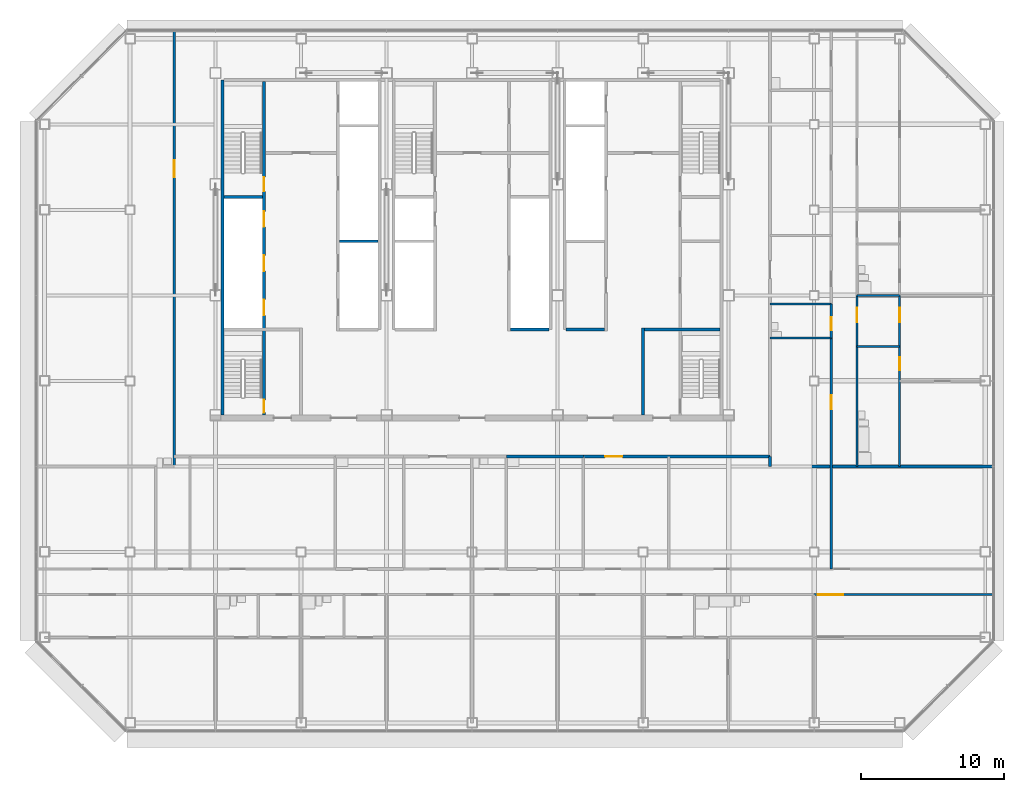
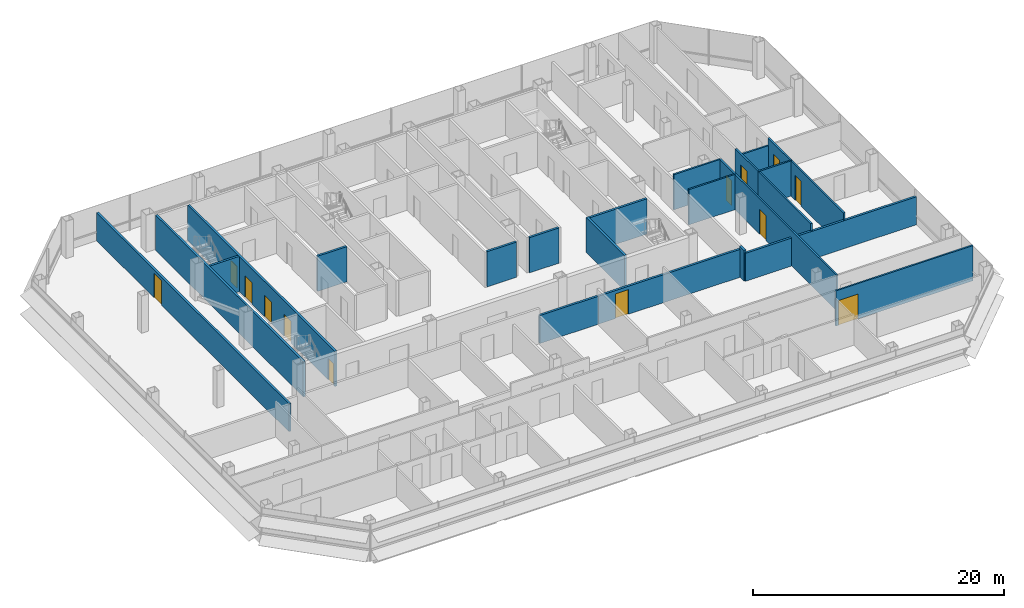
# One storey, part 21 of 26: 24 walls, 13 doors, 13 openings.
"""IFC4 building model written with IfcOpenShell, lengths in metres."""

from ifc_helpers import new_model, si_unit, direction, frame, frame_2d, origin, place, context, subcontext, project, spatial, rectangle, extrude, material, layer, layer_set, type_object, element, fill, save


model = new_model("IFC4")

# Units and contexts
model_context = context("Model", 3, precision=1e-05, world=origin(), true_north=direction((0.0, 1.0)))
body_context = subcontext(model_context, "Body", "Model", "MODEL_VIEW")
ifc_project = project(units=[si_unit("LENGTHUNIT", "METRE"), si_unit("AREAUNIT", "SQUARE_METRE"), si_unit("VOLUMEUNIT", "CUBIC_METRE"), si_unit("PLANEANGLEUNIT", "RADIAN"), si_unit("MASSUNIT", "GRAM", prefix="KILO")], contexts=[model_context])

# Site, building, storey
site_placement = place(None, origin())
site = spatial("IfcSite", under=ifc_project, at=site_placement, CompositionType="ELEMENT")
building_placement = place(site_placement, origin())
building = spatial("IfcBuilding", under=site, at=building_placement, Name="Sorahane Residences", CompositionType="ELEMENT")
storey_placement = place(building_placement, frame((0.0, 0.0, 154.60009765625)))
storey = spatial("IfcBuildingStorey", under=building, at=storey_placement, Name="L35", CompositionType="ELEMENT", Elevation=154.60009765625)

# Wall
ifc_material_1 = material(Name="Concrete C30", Category="concrete")
ifc_layer_1 = layer(ifc_material_1, 0.199951171875)
ifc_layer_set_1 = layer_set([ifc_layer_1], Name="Core face wall 200 EI 180")
wall_type_1 = type_object("IfcWallType", Name="Core face wall 200 EI 180", PredefinedType="SOLIDWALL", material=ifc_layer_set_1)
wall_1_placement = place(storey_placement, frame((6.5, 21.60009765625, 0.0), z_axis=(0.0, 0.0, 1.0), x_axis=(0.0, 1.0, 0.0)))
element("IfcWall", 1, at=wall_1_placement, inside=storey, type_object=wall_type_1, Name="L35 core face wall", PredefinedType="SOLIDWALL", context=body_context, shape_type="SweptSolid", body=[
    extrude(rectangle(XDim=23.5, YDim=0.199951171875, at=frame_2d((11.75, 0.0))), origin(), (0.0, 0.0, 1.0), 3.419921875),
])

# Wall, opening, door
ifc_material_2 = material(Name="Concrete blockwork C20 wall", Category="masonry")
ifc_layer_2 = layer(ifc_material_2, 0.199951171875)
ifc_layer_set_2 = layer_set([ifc_layer_2], Name="Corridor wall 200 EI 120")
wall_type_2 = type_object("IfcWallType", Name="Corridor wall 200 EI 120", PredefinedType="SOLIDWALL", material=ifc_layer_set_2)
wall_2_placement = place(storey_placement, frame((3.10009765625, 18.0, 0.0), z_axis=(0.0, 0.0, 1.0), x_axis=(0.0, 1.0, 0.0)))
wall_2 = element("IfcWall", 2, at=wall_2_placement, inside=storey, type_object=wall_type_2, Name="L35 corridor wall", PredefinedType="SOLIDWALL", context=body_context, shape_type="SweptSolid", body=[
    extrude(rectangle(XDim=30.60009765625, YDim=0.199951171875, at=frame_2d((15.300048828125, 0.0))), origin(), (0.0, 0.0, 1.0), 2.719970703125),
])
opening_1_placement = place(wall_2_placement, frame((20.27001953125, 0.0, 0.0)))
opening_1 = element("IfcOpeningElement", 3, at=opening_1_placement, cuts=wall_2, Name="Opening L35-45", PredefinedType="OPENING", context=body_context, shape_type="SweptSolid", body=[
    extrude(rectangle(XDim=1.199951171875, YDim=2.39990234375, at=frame_2d((0.60009765625, 1.199951171875))), frame((0.0, 0.10986328125, 0.0), z_axis=(0.0, -1.0, 0.0), x_axis=(1.0, 0.0, 0.0)), (0.0, 0.0, 1.0), 0.219970703125),
])
ifc_material_3 = material(Name="Steel", Category="steel")
door_type_1 = type_object("IfcDoorType", Name="Lobby door 1200x2400 FD60", OperationType="NOTDEFINED", PredefinedType="DOOR", material=ifc_material_3)
door_1_placement = place(opening_1_placement, origin())
door_1 = element("IfcDoor", 4, at=door_1_placement, inside=storey, type_object=door_type_1, Name="Lobby door L35-45", OperationType="SINGLE_SWING_RIGHT", OverallHeight=2.39990234375, OverallWidth=1.199951171875, PredefinedType="DOOR", context=body_context, shape_type="SweptSolid", body=[
    extrude(rectangle(XDim=1.199951171875, YDim=2.39990234375, at=frame_2d((0.60009765625, 1.199951171875))), frame((0.0, 0.02490234375, 0.0), z_axis=(0.0, -1.0, 0.0), x_axis=(1.0, 0.0, 0.0)), (0.0, 0.0, 1.0), 0.050048828125),
])
fill(opening_1, door_1)

wall_3_placement = place(storey_placement, frame((31.800048828125, 18.699951171875, 0.0), z_axis=(0.0, 0.0, 1.0), x_axis=(1.0, 0.0, 0.0)))
wall_3 = element("IfcWall", 5, at=wall_3_placement, inside=storey, type_object=wall_type_2, Name="L35 corridor wall", PredefinedType="SOLIDWALL", context=body_context, shape_type="SweptSolid", body=[
    extrude(rectangle(XDim=13.099853515625, YDim=0.199951171875, at=frame_2d((6.5498046875, 0.0))), origin(), (0.0, 0.0, 1.0), 2.719970703125),
])
opening_2_placement = place(wall_3_placement, frame((1.5400390625, 0.0, 0.0)))
opening_2 = element("IfcOpeningElement", 6, at=opening_2_placement, cuts=wall_3, Name="Opening L35-43", PredefinedType="OPENING", context=body_context, shape_type="SweptSolid", body=[
    extrude(rectangle(XDim=1.199951171875, YDim=2.39990234375, at=frame_2d((0.60009765625, 1.199951171875))), frame((0.0, 0.10986328125, 0.0), z_axis=(0.0, -1.0, 0.0), x_axis=(1.0, 0.0, 0.0)), (0.0, 0.0, 1.0), 0.219970703125),
])
ifc_material_4 = material(Name="Timber veneered fire door", Category="wood")
door_type_2 = type_object("IfcDoorType", Name="Flat entrance door 1200x2400 FD60", OperationType="NOTDEFINED", PredefinedType="DOOR", material=ifc_material_4)
door_2_placement = place(opening_2_placement, frame((1.199951171875, 0.0, 0.0), z_axis=(0.0, 0.0, 1.0), x_axis=(-1.0, 0.0, 0.0)))
door_2 = element("IfcDoor", 7, at=door_2_placement, inside=storey, type_object=door_type_2, Name="Flat entrance door L35-43", OperationType="SINGLE_SWING_RIGHT", OverallHeight=2.39990234375, OverallWidth=1.199951171875, PredefinedType="DOOR", context=body_context, shape_type="SweptSolid", body=[
    extrude(rectangle(XDim=1.199951171875, YDim=2.39990234375, at=frame_2d((0.60009765625, 1.199951171875))), frame((0.0, 0.02490234375, 0.0), z_axis=(0.0, -1.0, 0.0), x_axis=(1.0, 0.0, 0.0)), (0.0, 0.0, 1.0), 0.050048828125),
])
fill(opening_2, door_2)

# Walls
ifc_material_5 = material(Name="Concrete C30", Category="concrete")
ifc_layer_3 = layer(ifc_material_5, 0.199951171875)
ifc_layer_set_3 = layer_set([ifc_layer_3], Name="Front room wall 200 EI 120")
wall_type_3 = type_object("IfcWallType", Name="Front room wall 200 EI 120", PredefinedType="PARTITIONING", material=ifc_layer_set_3)
wall_4_placement = place(storey_placement, frame((36.0, 21.60009765625, 0.0), z_axis=(0.0, 0.0, 1.0), x_axis=(0.0, 1.0, 0.0)))
element("IfcWall", 8, at=wall_4_placement, inside=storey, type_object=wall_type_3, Name="L35 front room wall", PredefinedType="PARTITIONING", context=body_context, shape_type="SweptSolid", body=[
    extrude(rectangle(XDim=6.099853515625, YDim=0.199951171875, at=frame_2d((3.0498046875, 0.0))), origin(), (0.0, 0.0, 1.0), 3.419921875),
])
ifc_material_6 = material(Name="Concrete blockwork C20 wall", Category="masonry")
ifc_layer_4 = layer(ifc_material_6, 0.199951171875)
ifc_layer_set_4 = layer_set([ifc_layer_4], Name="Kitchen wall 200 EI 180")
wall_type_4 = type_object("IfcWallType", Name="Kitchen wall 200 EI 180", PredefinedType="SOLIDWALL", material=ifc_layer_set_4)
wall_5_placement = place(storey_placement, frame((26.39990234375, 18.699951171875, 0.0), z_axis=(0.0, 0.0, 1.0), x_axis=(1.0, 0.0, 0.0)))
element("IfcWall", 9, at=wall_5_placement, inside=storey, type_object=wall_type_4, Name="L35 kitchen wall", PredefinedType="SOLIDWALL", context=body_context, shape_type="SweptSolid", body=[
    extrude(rectangle(XDim=5.400146484375, YDim=0.199951171875, at=frame_2d((2.7001953125, 0.0))), origin(), (0.0, 0.0, 1.0), 2.719970703125),
])
ifc_material_7 = material(Name="Concrete C30", Category="concrete")
ifc_layer_5 = layer(ifc_material_7, 0.199951171875)
ifc_layer_set_5 = layer_set([ifc_layer_5], Name="Lift shaft wall 200 EI 120")
wall_type_5 = type_object("IfcWallType", Name="Lift shaft wall 200 EI 120", PredefinedType="SOLIDWALL", material=ifc_layer_set_5)
wall_6_placement = place(storey_placement, frame((14.699951171875, 33.800048828125, 0.0), z_axis=(0.0, 0.0, 1.0), x_axis=(1.0, 0.0, 0.0)))
element("IfcWall", 10, at=wall_6_placement, inside=storey, type_object=wall_type_5, Name="L35 lift shaft wall", PredefinedType="SOLIDWALL", context=body_context, shape_type="SweptSolid", body=[
    extrude(rectangle(XDim=2.699951171875, YDim=0.199951171875, at=frame_2d((1.35009765625, 0.0))), origin(), (0.0, 0.0, 1.0), 3.419921875),
])

# Wall, opening, door
ifc_material_8 = material(Name="Gypsum board partition on steel studs", Category="steel")
ifc_layer_6 = layer(ifc_material_8, 0.14990234375)
ifc_layer_set_6 = layer_set([ifc_layer_6], Name="Partition 150 EI 90")
wall_type_6 = type_object("IfcWallType", Name="Partition 150 EI 90", PredefinedType="PARTITIONING", material=ifc_layer_set_6)
wall_7_placement = place(storey_placement, frame((49.199951171875, 10.800048828125, 0.0), z_axis=(0.0, 0.0, 1.0), x_axis=(0.0, 1.0, 0.0)))
wall_7 = element("IfcWall", 11, at=wall_7_placement, inside=storey, type_object=wall_type_6, Name="L35 partition", PredefinedType="PARTITIONING", context=body_context, shape_type="SweptSolid", body=[
    extrude(rectangle(XDim=16.199951171875, YDim=0.14990234375, at=frame_2d((8.10009765625, 0.0))), origin(), (0.0, 0.0, 1.0), 3.419921875),
])
opening_3_placement = place(wall_7_placement, frame((11.199951171875, 0.0, 0.0)))
opening_3 = element("IfcOpeningElement", 12, at=opening_3_placement, cuts=wall_7, Name="Opening L35-29", PredefinedType="OPENING", context=body_context, shape_type="SweptSolid", body=[
    extrude(rectangle(XDim=1.0, YDim=2.39990234375, at=frame_2d((0.5, 1.199951171875))), frame((0.0, 0.0849609375, 0.0), z_axis=(0.0, -1.0, 0.0), x_axis=(1.0, 0.0, 0.0)), (0.0, 0.0, 1.0), 0.169921875),
])
ifc_material_9 = material(Name="Timber veneered fire door", Category="wood")
door_type_3 = type_object("IfcDoorType", Name="Room door 1000x2400 FD30", OperationType="NOTDEFINED", PredefinedType="DOOR", material=ifc_material_9)
door_3_placement = place(opening_3_placement, origin())
door_3 = element("IfcDoor", 13, at=door_3_placement, inside=storey, type_object=door_type_3, Name="Room door L35-29", OperationType="SINGLE_SWING_RIGHT", OverallHeight=2.39990234375, OverallWidth=1.0, PredefinedType="DOOR", context=body_context, shape_type="SweptSolid", body=[
    extrude(rectangle(XDim=1.0, YDim=2.39990234375, at=frame_2d((0.5, 1.199951171875))), frame((0.0, 0.02490234375, 0.0), z_axis=(0.0, -1.0, 0.0), x_axis=(1.0, 0.0, 0.0)), (0.0, 0.0, 1.0), 0.050048828125),
])
fill(opening_3, door_3)

wall_8_placement = place(storey_placement, frame((51.0, 26.39990234375, 0.0), z_axis=(0.0, 0.0, 1.0), x_axis=(0.0, 1.0, 0.0)))
wall_8 = element("IfcWall", 14, at=wall_8_placement, inside=storey, type_object=wall_type_6, Name="L35 partition", PredefinedType="PARTITIONING", context=body_context, shape_type="SweptSolid", body=[
    extrude(rectangle(XDim=3.60009765625, YDim=0.14990234375, at=frame_2d((1.800048828125, 0.0))), origin(), (0.0, 0.0, 1.0), 3.419921875),
])
opening_4_placement = place(wall_8_placement, frame((1.719970703125, 0.0, 0.0)))
opening_4 = element("IfcOpeningElement", 15, at=opening_4_placement, cuts=wall_8, Name="Opening L35-33", PredefinedType="OPENING", context=body_context, shape_type="SweptSolid", body=[
    extrude(rectangle(XDim=1.0, YDim=2.39990234375, at=frame_2d((0.5, 1.199951171875))), frame((0.0, 0.0849609375, 0.0), z_axis=(0.0, -1.0, 0.0), x_axis=(1.0, 0.0, 0.0)), (0.0, 0.0, 1.0), 0.169921875),
])
door_4_placement = place(opening_4_placement, frame((1.0, 0.0, 0.0), z_axis=(0.0, 0.0, 1.0), x_axis=(-1.0, 0.0, 0.0)))
door_4 = element("IfcDoor", 16, at=door_4_placement, inside=storey, type_object=door_type_3, Name="Room door L35-33", OperationType="SINGLE_SWING_LEFT", OverallHeight=2.39990234375, OverallWidth=1.0, PredefinedType="DOOR", context=body_context, shape_type="SweptSolid", body=[
    extrude(rectangle(XDim=1.0, YDim=2.39990234375, at=frame_2d((0.5, 1.199951171875))), frame((0.0, 0.02490234375, 0.0), z_axis=(0.0, -1.0, 0.0), x_axis=(1.0, 0.0, 0.0)), (0.0, 0.0, 1.0), 0.050048828125),
])
fill(opening_4, door_4)

wall_9_placement = place(storey_placement, frame((54.0, 26.39990234375, 0.0), z_axis=(0.0, 0.0, 1.0), x_axis=(0.0, 1.0, 0.0)))
wall_9 = element("IfcWall", 17, at=wall_9_placement, inside=storey, type_object=wall_type_6, Name="L35 partition", PredefinedType="PARTITIONING", context=body_context, shape_type="SweptSolid", body=[
    extrude(rectangle(XDim=3.60009765625, YDim=0.14990234375, at=frame_2d((1.800048828125, 0.0))), origin(), (0.0, 0.0, 1.0), 3.419921875),
])
opening_5_placement = place(wall_9_placement, frame((1.719970703125, 0.0, 0.0)))
opening_5 = element("IfcOpeningElement", 18, at=opening_5_placement, cuts=wall_9, Name="Opening L35-36", PredefinedType="OPENING", context=body_context, shape_type="SweptSolid", body=[
    extrude(rectangle(XDim=1.0, YDim=2.39990234375, at=frame_2d((0.5, 1.199951171875))), frame((0.0, 0.0849609375, 0.0), z_axis=(0.0, -1.0, 0.0), x_axis=(1.0, 0.0, 0.0)), (0.0, 0.0, 1.0), 0.169921875),
])
door_5_placement = place(opening_5_placement, frame((1.0, 0.0, 0.0), z_axis=(0.0, 0.0, 1.0), x_axis=(-1.0, 0.0, 0.0)))
door_5 = element("IfcDoor", 19, at=door_5_placement, inside=storey, type_object=door_type_3, Name="Room door L35-36", OperationType="SINGLE_SWING_LEFT", OverallHeight=2.39990234375, OverallWidth=1.0, PredefinedType="DOOR", context=body_context, shape_type="SweptSolid", body=[
    extrude(rectangle(XDim=1.0, YDim=2.39990234375, at=frame_2d((0.5, 1.199951171875))), frame((0.0, 0.02490234375, 0.0), z_axis=(0.0, -1.0, 0.0), x_axis=(1.0, 0.0, 0.0)), (0.0, 0.0, 1.0), 0.050048828125),
])
fill(opening_5, door_5)

wall_10_placement = place(storey_placement, frame((48.0, 9.0, 0.0), z_axis=(0.0, 0.0, 1.0), x_axis=(1.0, 0.0, 0.0)))
wall_10 = element("IfcWall", 20, at=wall_10_placement, inside=storey, type_object=wall_type_6, Name="L35 partition", PredefinedType="PARTITIONING", context=body_context, shape_type="SweptSolid", body=[
    extrude(rectangle(XDim=12.60009765625, YDim=0.14990234375, at=frame_2d((6.300048828125, 0.0))), origin(), (0.0, 0.0, 1.0), 3.419921875),
])
opening_6_placement = place(wall_10_placement, frame((0.25, 0.0, 0.0)))
opening_6 = element("IfcOpeningElement", 21, at=opening_6_placement, cuts=wall_10, Name="Opening L35-23", PredefinedType="OPENING", context=body_context, shape_type="SweptSolid", body=[
    extrude(rectangle(XDim=1.800048828125, YDim=2.39990234375, at=frame_2d((0.89990234375, 1.199951171875))), frame((0.0, 0.0849609375, 0.0), z_axis=(0.0, -1.0, 0.0), x_axis=(1.0, 0.0, 0.0)), (0.0, 0.0, 1.0), 0.169921875),
])
ifc_material_10 = material(Name="Timber veneered fire door", Category="wood")
door_type_4 = type_object("IfcDoorType", Name="Double door 1800x2400 FD30", OperationType="NOTDEFINED", PredefinedType="DOOR", material=ifc_material_10)
door_6_placement = place(opening_6_placement, frame((1.800048828125, 0.0, 0.0), z_axis=(0.0, 0.0, 1.0), x_axis=(-1.0, 0.0, 0.0)))
door_6 = element("IfcDoor", 22, at=door_6_placement, inside=storey, type_object=door_type_4, Name="Double door L35-23", OperationType="SINGLE_SWING_RIGHT", OverallHeight=2.39990234375, OverallWidth=1.800048828125, PredefinedType="DOOR", context=body_context, shape_type="SweptSolid", body=[
    extrude(rectangle(XDim=1.800048828125, YDim=2.39990234375, at=frame_2d((0.89990234375, 1.199951171875))), frame((0.0, 0.02490234375, 0.0), z_axis=(0.0, -1.0, 0.0), x_axis=(1.0, 0.0, 0.0)), (0.0, 0.0, 1.0), 0.050048828125),
])
fill(opening_6, door_6)

# Walls
ifc_material_11 = material(Name="Concrete blockwork C20 wall", Category="masonry")
ifc_layer_7 = layer(ifc_material_11, 0.199951171875)
ifc_layer_set_7 = layer_set([ifc_layer_7], Name="Party wall 200 EI 120")
wall_type_7 = type_object("IfcWallType", Name="Party wall 200 EI 120", PredefinedType="SOLIDWALL", material=ifc_layer_set_7)
wall_11_placement = place(storey_placement, frame((44.89990234375, 18.0, 0.0), z_axis=(0.0, 0.0, 1.0), x_axis=(0.0, 1.0, 0.0)))
element("IfcWall", 23, at=wall_11_placement, inside=storey, type_object=wall_type_7, Name="L35 party wall", PredefinedType="SOLIDWALL", context=body_context, shape_type="SweptSolid", body=[
    extrude(rectangle(XDim=0.699951171875, YDim=0.199951171875, at=frame_2d((0.35009765625, 0.0))), origin(), (0.0, 0.0, 1.0), 2.969970703125),
])
wall_12_placement = place(storey_placement, frame((44.89990234375, 18.0, 0.0), z_axis=(0.0, 0.0, 1.0), x_axis=(1.0, 0.0, 0.0)))
element("IfcWall", 24, at=wall_12_placement, inside=storey, type_object=wall_type_7, Name="L35 party wall", PredefinedType="SOLIDWALL", context=body_context, shape_type="SweptSolid", body=[
    extrude(rectangle(XDim=15.7001953125, YDim=0.199951171875, at=frame_2d((7.85009765625, 0.0))), origin(), (0.0, 0.0, 1.0), 2.719970703125),
])
ifc_material_12 = material(Name="Concrete C30", Category="concrete")
ifc_layer_8 = layer(ifc_material_12, 0.199951171875)
ifc_layer_set_8 = layer_set([ifc_layer_8], Name="Riser shaft wall 200 EI 120")
wall_type_8 = type_object("IfcWallType", Name="Riser shaft wall 200 EI 120", PredefinedType="SOLIDWALL", material=ifc_layer_set_8)
wall_13_placement = place(storey_placement, frame((26.699951171875, 27.60009765625, 0.0), z_axis=(0.0, 0.0, 1.0), x_axis=(1.0, 0.0, 0.0)))
element("IfcWall", 25, at=wall_13_placement, inside=storey, type_object=wall_type_8, Name="L35 riser wall", PredefinedType="SOLIDWALL", context=body_context, shape_type="SweptSolid", body=[
    extrude(rectangle(XDim=2.699951171875, YDim=0.199951171875, at=frame_2d((1.35009765625, 0.0))), origin(), (0.0, 0.0, 1.0), 3.419921875),
])
ifc_material_13 = material(Name="Concrete C30", Category="concrete")
ifc_layer_9 = layer(ifc_material_13, 0.199951171875)
ifc_layer_set_9 = layer_set([ifc_layer_9], Name="Service room partition 200 EI 60")
wall_type_9 = type_object("IfcWallType", Name="Service room partition 200 EI 60", PredefinedType="PARTITIONING", material=ifc_layer_set_9)
wall_14_placement = place(storey_placement, frame((30.60009765625, 27.60009765625, 0.0), z_axis=(0.0, 0.0, 1.0), x_axis=(1.0, 0.0, 0.0)))
element("IfcWall", 26, at=wall_14_placement, inside=storey, type_object=wall_type_9, Name="L35 service room wall", PredefinedType="PARTITIONING", context=body_context, shape_type="SweptSolid", body=[
    extrude(rectangle(XDim=2.699951171875, YDim=0.199951171875, at=frame_2d((1.35009765625, 0.0))), origin(), (0.0, 0.0, 1.0), 3.419921875),
])

# Wall, openings, doors
ifc_material_14 = material(Name="Concrete C30", Category="concrete")
ifc_layer_10 = layer(ifc_material_14, 0.199951171875)
ifc_layer_set_10 = layer_set([ifc_layer_10], Name="Stair enclosure wall 200 EI 120")
wall_type_10 = type_object("IfcWallType", Name="Stair enclosure wall 200 EI 120", PredefinedType="SOLIDWALL", material=ifc_layer_set_10)
wall_15_placement = place(storey_placement, frame((9.39990234375, 21.60009765625, 0.0), z_axis=(0.0, 0.0, 1.0), x_axis=(0.0, 1.0, 0.0)))
wall_15 = element("IfcWall", 27, at=wall_15_placement, inside=storey, type_object=wall_type_10, Name="L35 stair enclosure wall", PredefinedType="SOLIDWALL", context=body_context, shape_type="SweptSolid", body=[
    extrude(rectangle(XDim=23.39990234375, YDim=0.199951171875, at=frame_2d((11.699951171875, 0.0))), origin(), (0.0, 0.0, 1.0), 3.419921875),
])
opening_7_placement = place(wall_15_placement, frame((7.0, 0.0, 0.0)))
opening_7 = element("IfcOpeningElement", 28, at=opening_7_placement, cuts=wall_15, Name="Opening L35-C13", PredefinedType="OPENING", context=body_context, shape_type="SweptSolid", body=[
    extrude(rectangle(XDim=1.10009765625, YDim=2.10009765625, at=frame_2d((0.550048828125, 1.050048828125))), frame((0.0, 0.10986328125, 0.0), z_axis=(0.0, -1.0, 0.0), x_axis=(1.0, 0.0, 0.0)), (0.0, 0.0, 1.0), 0.219970703125),
])
opening_8_placement = place(wall_15_placement, frame((10.10009765625, 0.0, 0.0)))
opening_8 = element("IfcOpeningElement", 29, at=opening_8_placement, cuts=wall_15, Name="Opening L35-C14", PredefinedType="OPENING", context=body_context, shape_type="SweptSolid", body=[
    extrude(rectangle(XDim=1.10009765625, YDim=2.10009765625, at=frame_2d((0.550048828125, 1.050048828125))), frame((0.0, 0.10986328125, 0.0), z_axis=(0.0, -1.0, 0.0), x_axis=(1.0, 0.0, 0.0)), (0.0, 0.0, 1.0), 0.219970703125),
])
opening_9_placement = place(wall_15_placement, frame((13.199951171875, 0.0, 0.0)))
opening_9 = element("IfcOpeningElement", 30, at=opening_9_placement, cuts=wall_15, Name="Opening L35-C15", PredefinedType="OPENING", context=body_context, shape_type="SweptSolid", body=[
    extrude(rectangle(XDim=1.10009765625, YDim=2.10009765625, at=frame_2d((0.550048828125, 1.050048828125))), frame((0.0, 0.10986328125, 0.0), z_axis=(0.0, -1.0, 0.0), x_axis=(1.0, 0.0, 0.0)), (0.0, 0.0, 1.0), 0.219970703125),
])
opening_10_placement = place(wall_15_placement, frame((15.699951171875, 0.0, 0.0)))
opening_10 = element("IfcOpeningElement", 31, at=opening_10_placement, cuts=wall_15, Name="Opening L35-C19", PredefinedType="OPENING", context=body_context, shape_type="SweptSolid", body=[
    extrude(rectangle(XDim=1.0, YDim=2.10009765625, at=frame_2d((0.5, 1.050048828125))), frame((0.0, 0.10986328125, 0.0), z_axis=(0.0, -1.0, 0.0), x_axis=(1.0, 0.0, 0.0)), (0.0, 0.0, 1.0), 0.219970703125),
])
opening_11_placement = place(wall_15_placement, frame((0.175048828125, 0.0, 0.0)))
opening_11 = element("IfcOpeningElement", 32, at=opening_11_placement, cuts=wall_15, Name="Opening L35-C22", PredefinedType="OPENING", context=body_context, shape_type="SweptSolid", body=[
    extrude(rectangle(XDim=0.89990234375, YDim=2.10009765625, at=frame_2d((0.449951171875, 1.050048828125))), frame((0.0, 0.10986328125, 0.0), z_axis=(0.0, -1.0, 0.0), x_axis=(1.0, 0.0, 0.0)), (0.0, 0.0, 1.0), 0.219970703125),
])
ifc_material_15 = material(Name="Aluminium and stainless steel", Category="steel")
door_type_5 = type_object("IfcDoorType", Name="Lift landing door 1100x2100 E 60", OperationType="NOTDEFINED", PredefinedType="DOOR", material=ifc_material_15)
door_7_placement = place(opening_7_placement, origin())
door_7 = element("IfcDoor", 33, at=door_7_placement, inside=storey, type_object=door_type_5, Name="Lift landing door LR1 L35", OperationType="DOUBLE_DOOR_SLIDING", OverallHeight=2.10009765625, OverallWidth=1.10009765625, PredefinedType="DOOR", context=body_context, shape_type="SweptSolid", body=[
    extrude(rectangle(XDim=1.10009765625, YDim=2.10009765625, at=frame_2d((0.550048828125, 1.050048828125))), frame((0.0, 0.02490234375, 0.0), z_axis=(0.0, -1.0, 0.0), x_axis=(1.0, 0.0, 0.0)), (0.0, 0.0, 1.0), 0.050048828125),
])
fill(opening_7, door_7)
door_8_placement = place(opening_8_placement, origin())
door_8 = element("IfcDoor", 34, at=door_8_placement, inside=storey, type_object=door_type_5, Name="Lift landing door LR2 L35", OperationType="DOUBLE_DOOR_SLIDING", OverallHeight=2.10009765625, OverallWidth=1.10009765625, PredefinedType="DOOR", context=body_context, shape_type="SweptSolid", body=[
    extrude(rectangle(XDim=1.10009765625, YDim=2.10009765625, at=frame_2d((0.550048828125, 1.050048828125))), frame((0.0, 0.02490234375, 0.0), z_axis=(0.0, -1.0, 0.0), x_axis=(1.0, 0.0, 0.0)), (0.0, 0.0, 1.0), 0.050048828125),
])
fill(opening_8, door_8)
door_9_placement = place(opening_9_placement, origin())
door_9 = element("IfcDoor", 35, at=door_9_placement, inside=storey, type_object=door_type_5, Name="Lift landing door LR3 L35", OperationType="DOUBLE_DOOR_SLIDING", OverallHeight=2.10009765625, OverallWidth=1.10009765625, PredefinedType="DOOR", context=body_context, shape_type="SweptSolid", body=[
    extrude(rectangle(XDim=1.10009765625, YDim=2.10009765625, at=frame_2d((0.550048828125, 1.050048828125))), frame((0.0, 0.02490234375, 0.0), z_axis=(0.0, -1.0, 0.0), x_axis=(1.0, 0.0, 0.0)), (0.0, 0.0, 1.0), 0.050048828125),
])
fill(opening_9, door_9)
ifc_material_16 = material(Name="Steel", Category="steel")
door_type_6 = type_object("IfcDoorType", Name="Stair door 1000x2100 FD120", OperationType="NOTDEFINED", PredefinedType="DOOR", material=ifc_material_16)
door_10_placement = place(opening_10_placement, origin())
door_10 = element("IfcDoor", 36, at=door_10_placement, inside=storey, type_object=door_type_6, Name="Stair door S1 L35", OperationType="SINGLE_SWING_LEFT", OverallHeight=2.10009765625, OverallWidth=1.0, PredefinedType="DOOR", context=body_context, shape_type="SweptSolid", body=[
    extrude(rectangle(XDim=1.0, YDim=2.10009765625, at=frame_2d((0.5, 1.050048828125))), frame((0.0, 0.02490234375, 0.0), z_axis=(0.0, -1.0, 0.0), x_axis=(1.0, 0.0, 0.0)), (0.0, 0.0, 1.0), 0.050048828125),
])
fill(opening_10, door_10)
ifc_material_17 = material(Name="Steel", Category="steel")
door_type_7 = type_object("IfcDoorType", Name="Stair door 900x2100 FD120", OperationType="NOTDEFINED", PredefinedType="DOOR", material=ifc_material_17)
door_11_placement = place(opening_11_placement, origin())
door_11 = element("IfcDoor", 37, at=door_11_placement, inside=storey, type_object=door_type_7, Name="Stair door S4 L35", OperationType="SINGLE_SWING_LEFT", OverallHeight=2.10009765625, OverallWidth=0.89990234375, PredefinedType="DOOR", context=body_context, shape_type="SweptSolid", body=[
    extrude(rectangle(XDim=0.89990234375, YDim=2.10009765625, at=frame_2d((0.449951171875, 1.050048828125))), frame((0.0, 0.02490234375, 0.0), z_axis=(0.0, -1.0, 0.0), x_axis=(1.0, 0.0, 0.0)), (0.0, 0.0, 1.0), 0.050048828125),
])
fill(opening_11, door_11)

# Walls
wall_16_placement = place(storey_placement, frame((36.10009765625, 27.60009765625, 0.0), z_axis=(0.0, 0.0, 1.0), x_axis=(1.0, 0.0, 0.0)))
element("IfcWall", 38, at=wall_16_placement, inside=storey, type_object=wall_type_10, Name="L35 stair enclosure wall", PredefinedType="SOLIDWALL", context=body_context, shape_type="SweptSolid", body=[
    extrude(rectangle(XDim=5.2998046875, YDim=0.199951171875, at=frame_2d((2.64990234375, 0.0))), origin(), (0.0, 0.0, 1.0), 3.419921875),
])
wall_17_placement = place(storey_placement, frame((6.60009765625, 36.89990234375, 0.0), z_axis=(0.0, 0.0, 1.0), x_axis=(1.0, 0.0, 0.0)))
element("IfcWall", 39, at=wall_17_placement, inside=storey, type_object=wall_type_10, Name="L35 stair enclosure wall", PredefinedType="SOLIDWALL", context=body_context, shape_type="SweptSolid", body=[
    extrude(rectangle(XDim=2.699951171875, YDim=0.199951171875, at=frame_2d((1.35009765625, 0.0))), origin(), (0.0, 0.0, 1.0), 3.419921875),
])

# Wall, opening, door
ifc_material_18 = material(Name="Gypsum board partition on steel studs", Category="steel")
ifc_layer_11 = layer(ifc_material_18, 0.14990234375)
ifc_layer_set_11 = layer_set([ifc_layer_11], Name="Wet wall 150 EI 90")
wall_type_11 = type_object("IfcWallType", Name="Wet wall 150 EI 90", PredefinedType="PARTITIONING", material=ifc_layer_set_11)
wall_18_placement = place(storey_placement, frame((49.199951171875, 27.0, 0.0), z_axis=(0.0, 0.0, 1.0), x_axis=(0.0, 1.0, 0.0)))
wall_18 = element("IfcWall", 40, at=wall_18_placement, inside=storey, type_object=wall_type_11, Name="L35 wet wall", PredefinedType="PARTITIONING", context=body_context, shape_type="SweptSolid", body=[
    extrude(rectangle(XDim=2.39990234375, YDim=0.14990234375, at=frame_2d((1.199951171875, 0.0))), origin(), (0.0, 0.0, 1.0), 3.419921875),
])
opening_12_placement = place(wall_18_placement, frame((0.550048828125, 0.0, 0.0)))
opening_12 = element("IfcOpeningElement", 41, at=opening_12_placement, cuts=wall_18, Name="Opening L35-30", PredefinedType="OPENING", context=body_context, shape_type="SweptSolid", body=[
    extrude(rectangle(XDim=0.89990234375, YDim=2.39990234375, at=frame_2d((0.449951171875, 1.199951171875))), frame((0.0, 0.0849609375, 0.0), z_axis=(0.0, -1.0, 0.0), x_axis=(1.0, 0.0, 0.0)), (0.0, 0.0, 1.0), 0.169921875),
])
ifc_material_19 = material(Name="Timber veneered fire door", Category="wood")
door_type_8 = type_object("IfcDoorType", Name="Bathroom door 900x2400 FD30", OperationType="NOTDEFINED", PredefinedType="DOOR", material=ifc_material_19)
door_12_placement = place(opening_12_placement, frame((0.89990234375, 0.0, 0.0), z_axis=(0.0, 0.0, 1.0), x_axis=(-1.0, 0.0, 0.0)))
door_12 = element("IfcDoor", 42, at=door_12_placement, inside=storey, type_object=door_type_8, Name="Bathroom door L35-30", OperationType="SINGLE_SWING_LEFT", OverallHeight=2.39990234375, OverallWidth=0.89990234375, PredefinedType="DOOR", context=body_context, shape_type="SweptSolid", body=[
    extrude(rectangle(XDim=0.89990234375, YDim=2.39990234375, at=frame_2d((0.449951171875, 1.199951171875))), frame((0.0, 0.02490234375, 0.0), z_axis=(0.0, -1.0, 0.0), x_axis=(1.0, 0.0, 0.0)), (0.0, 0.0, 1.0), 0.050048828125),
])
fill(opening_12, door_12)

# Wall
wall_19_placement = place(storey_placement, frame((51.0, 18.0, 0.0), z_axis=(0.0, 0.0, 1.0), x_axis=(0.0, 1.0, 0.0)))
element("IfcWall", 43, at=wall_19_placement, inside=storey, type_object=wall_type_11, Name="L35 wet wall", PredefinedType="PARTITIONING", context=body_context, shape_type="SweptSolid", body=[
    extrude(rectangle(XDim=8.39990234375, YDim=0.14990234375, at=frame_2d((4.199951171875, 0.0))), origin(), (0.0, 0.0, 1.0), 3.419921875),
])

# Wall, opening, door
wall_20_placement = place(storey_placement, frame((54.0, 18.0, 0.0), z_axis=(0.0, 0.0, 1.0), x_axis=(0.0, 1.0, 0.0)))
wall_20 = element("IfcWall", 44, at=wall_20_placement, inside=storey, type_object=wall_type_11, Name="L35 wet wall", PredefinedType="PARTITIONING", context=body_context, shape_type="SweptSolid", body=[
    extrude(rectangle(XDim=8.39990234375, YDim=0.14990234375, at=frame_2d((4.199951171875, 0.0))), origin(), (0.0, 0.0, 1.0), 3.419921875),
])
opening_13_placement = place(wall_20_placement, frame((6.75, 0.0, 0.0)))
opening_13 = element("IfcOpeningElement", 45, at=opening_13_placement, cuts=wall_20, Name="Opening L35-38", PredefinedType="OPENING", context=body_context, shape_type="SweptSolid", body=[
    extrude(rectangle(XDim=0.89990234375, YDim=2.39990234375, at=frame_2d((0.449951171875, 1.199951171875))), frame((0.0, 0.0849609375, 0.0), z_axis=(0.0, -1.0, 0.0), x_axis=(1.0, 0.0, 0.0)), (0.0, 0.0, 1.0), 0.169921875),
])
door_13_placement = place(opening_13_placement, frame((0.89990234375, 0.0, 0.0), z_axis=(0.0, 0.0, 1.0), x_axis=(-1.0, 0.0, 0.0)))
door_13 = element("IfcDoor", 46, at=door_13_placement, inside=storey, type_object=door_type_8, Name="Bathroom door L35-38", OperationType="SINGLE_SWING_RIGHT", OverallHeight=2.39990234375, OverallWidth=0.89990234375, PredefinedType="DOOR", context=body_context, shape_type="SweptSolid", body=[
    extrude(rectangle(XDim=0.89990234375, YDim=2.39990234375, at=frame_2d((0.449951171875, 1.199951171875))), frame((0.0, 0.02490234375, 0.0), z_axis=(0.0, -1.0, 0.0), x_axis=(1.0, 0.0, 0.0)), (0.0, 0.0, 1.0), 0.050048828125),
])
fill(opening_13, door_13)

# Walls
wall_21_placement = place(storey_placement, frame((51.0, 26.39990234375, 0.0), z_axis=(0.0, 0.0, 1.0), x_axis=(1.0, 0.0, 0.0)))
element("IfcWall", 47, at=wall_21_placement, inside=storey, type_object=wall_type_11, Name="L35 wet wall", PredefinedType="PARTITIONING", context=body_context, shape_type="SweptSolid", body=[
    extrude(rectangle(XDim=3.0, YDim=0.14990234375, at=frame_2d((1.5, 0.0))), origin(), (0.0, 0.0, 1.0), 3.419921875),
])
for number, where, z_axis, x_axis, name in (
    (48, (44.89990234375, 27.0, 0.0), (0.0, 0.0, 1.0), (1.0, 0.0, 0.0), "L35 wet wall"),
    (49, (44.89990234375, 29.39990234375, 0.0), (0.0, 0.0, 1.0), (1.0, 0.0, 0.0), "L35 wet wall"),
):
    element("IfcWall", number, at=place(storey_placement, frame(where, z_axis=z_axis, x_axis=x_axis)), inside=storey, type_object=wall_type_11, Name=name, PredefinedType="PARTITIONING", context=body_context, shape_type="SweptSolid", body=[
        extrude(rectangle(XDim=4.300048828125, YDim=0.14990234375, at=frame_2d((2.14990234375, 0.0))), origin(), (0.0, 0.0, 1.0), 3.419921875),
    ])
wall_22_placement = place(storey_placement, frame((51.0, 30.0, 0.0), z_axis=(0.0, 0.0, 1.0), x_axis=(1.0, 0.0, 0.0)))
element("IfcWall", 50, at=wall_22_placement, inside=storey, type_object=wall_type_11, Name="L35 wet wall", PredefinedType="PARTITIONING", context=body_context, shape_type="SweptSolid", body=[
    extrude(rectangle(XDim=3.0, YDim=0.14990234375, at=frame_2d((1.5, 0.0))), origin(), (0.0, 0.0, 1.0), 2.719970703125),
])

save(model, "model.ifc")
